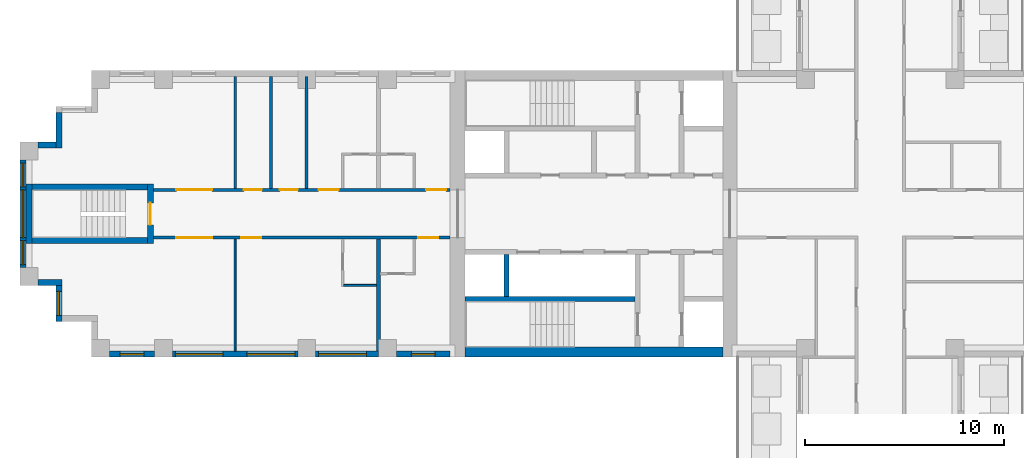
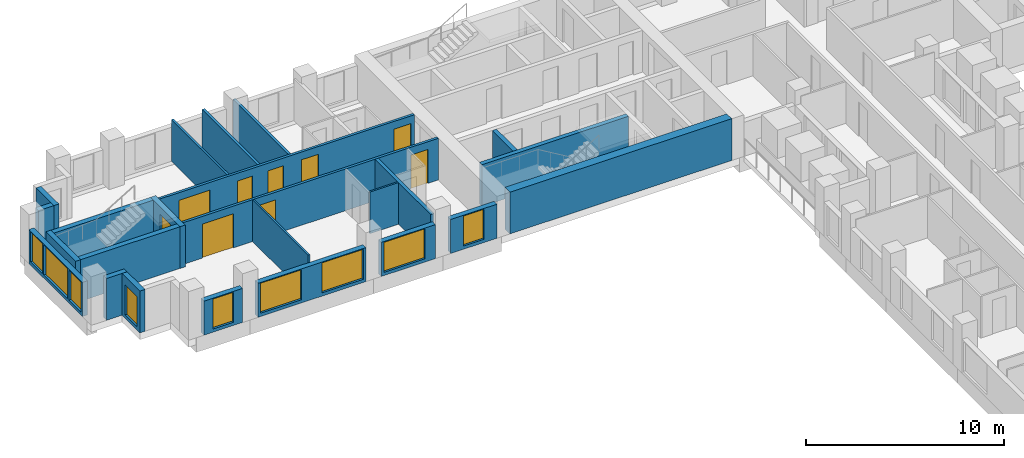
# One storey, part 5 of 15: 24 walls, 9 doors, 9 windows, 18 openings.
"""IFC4 building model written with IfcOpenShell, lengths in metres."""

from ifc_helpers import new_model, si_unit, direction, frame, frame_2d, origin, place, context, subcontext, project, spatial, rectangle, extrude, material, layer, layer_set, type_object, element, fill, save


model = new_model("IFC4")

# Units and contexts
model_context = context("Model", 3, precision=1e-05, world=origin(), true_north=direction((0.0, 1.0)))
body_context = subcontext(model_context, "Body", "Model", "MODEL_VIEW")
ifc_project = project(units=[si_unit("LENGTHUNIT", "METRE"), si_unit("AREAUNIT", "SQUARE_METRE"), si_unit("VOLUMEUNIT", "CUBIC_METRE"), si_unit("PLANEANGLEUNIT", "RADIAN"), si_unit("MASSUNIT", "GRAM", prefix="KILO")], contexts=[model_context])

# Site, building, storey
site_placement = place(None, origin())
site = spatial("IfcSite", under=ifc_project, at=site_placement, CompositionType="ELEMENT")
building_placement = place(site_placement, origin())
building = spatial("IfcBuilding", under=site, at=building_placement, Name="Fustian Cross Tower", CompositionType="ELEMENT")
storey_placement = place(building_placement, frame((0.0, 0.0, 50.699951171875)))
storey = spatial("IfcBuildingStorey", under=building, at=storey_placement, Name="L15", CompositionType="ELEMENT", Elevation=50.699951171875)

# Wall, openings, doors
ifc_material_1 = material(Name="Plasterboard on steel stud", Category="steel")
ifc_layer_1 = layer(ifc_material_1, 0.14990234375)
ifc_layer_set_1 = layer_set([ifc_layer_1], Name="Plasterboard on steel stud")
wall_type_1 = type_object("IfcWallType", Name="COMPARTMENT WALL 150 EI 60", PredefinedType="PARTITIONING", material=ifc_layer_set_1)
wall_1_placement = place(storey_placement, frame((-36.5, -1.199951171875, 0.0), z_axis=(0.0, 0.0, 1.0), x_axis=(1.0, 0.0, 0.0)))
wall_1 = element("IfcWall", 1, at=wall_1_placement, inside=storey, type_object=wall_type_1, Name="Partition 1", PredefinedType="PARTITIONING", context=body_context, shape_type="SweptSolid", body=[
    extrude(rectangle(XDim=14.89990234375, YDim=0.14990234375, at=frame_2d((7.449951171875, 0.0))), origin(), (0.0, 0.0, 1.0), 2.574951171875),
])
opening_1_placement = place(wall_1_placement, frame((13.300048828125, 0.0, 0.0)))
opening_1 = element("IfcOpeningElement", 2, at=opening_1_placement, cuts=wall_1, Name="Opening D08037", PredefinedType="OPENING", context=body_context, shape_type="SweptSolid", body=[
    extrude(rectangle(XDim=1.0, YDim=2.10009765625, at=frame_2d((0.5, 1.050048828125))), frame((0.0, 0.0849609375, 0.0), z_axis=(0.0, -1.0, 0.0), x_axis=(1.0, 0.0, 0.0)), (0.0, 0.0, 1.0), 0.169921875),
])
opening_2_placement = place(wall_1_placement, frame((4.409912109375, 0.0, 0.0)))
opening_2 = element("IfcOpeningElement", 3, at=opening_2_placement, cuts=wall_1, Name="Opening D08039", PredefinedType="OPENING", context=body_context, shape_type="SweptSolid", body=[
    extrude(rectangle(XDim=1.0, YDim=2.10009765625, at=frame_2d((0.5, 1.050048828125))), frame((0.0, 0.0849609375, 0.0), z_axis=(0.0, -1.0, 0.0), x_axis=(1.0, 0.0, 0.0)), (0.0, 0.0, 1.0), 0.169921875),
])
opening_3_placement = place(wall_1_placement, frame((1.14990234375, 0.0, 0.0)))
opening_3 = element("IfcOpeningElement", 4, at=opening_3_placement, cuts=wall_1, Name="Opening D08040", PredefinedType="OPENING", context=body_context, shape_type="SweptSolid", body=[
    extrude(rectangle(XDim=1.800048828125, YDim=2.10009765625, at=frame_2d((0.89990234375, 1.050048828125))), frame((0.0, 0.0849609375, 0.0), z_axis=(0.0, -1.0, 0.0), x_axis=(1.0, 0.0, 0.0)), (0.0, 0.0, 1.0), 0.169921875),
])
ifc_material_2 = material(Name="Timber fire door set", Category="wood")
door_type_1 = type_object("IfcDoorType", Name="FIRE DOUBLE DOOR 1800 FD30S", OperationType="DOUBLE_DOOR_DOUBLE_SWING", PredefinedType="DOOR", material=ifc_material_2)
door_1_placement = place(opening_3_placement, origin())
door_1 = element("IfcDoor", 5, at=door_1_placement, inside=storey, type_object=door_type_1, Name="Door D08040", OperationType="DOUBLE_DOOR_DOUBLE_SWING", OverallHeight=2.10009765625, OverallWidth=1.800048828125, PredefinedType="DOOR", context=body_context, shape_type="SweptSolid", body=[
    extrude(rectangle(XDim=1.800048828125, YDim=2.10009765625, at=frame_2d((0.89990234375, 1.050048828125))), frame((0.0, 0.02490234375, 0.0), z_axis=(0.0, -1.0, 0.0), x_axis=(1.0, 0.0, 0.0)), (0.0, 0.0, 1.0), 0.050048828125),
])
fill(opening_3, door_1)
ifc_material_3 = material(Name="Timber fire door set", Category="wood")
door_type_2 = type_object("IfcDoorType", Name="FIRE SWING DOOR 1000 FD30S", OperationType="SINGLE_SWING_LEFT", PredefinedType="DOOR", material=ifc_material_3)
door_2_placement = place(opening_1_placement, frame((1.0, 0.0, 0.0), z_axis=(0.0, 0.0, 1.0), x_axis=(-1.0, 0.0, 0.0)))
door_2 = element("IfcDoor", 6, at=door_2_placement, inside=storey, type_object=door_type_2, Name="Door D08037", OperationType="SINGLE_SWING_RIGHT", OverallHeight=2.10009765625, OverallWidth=1.0, PredefinedType="DOOR", context=body_context, shape_type="SweptSolid", body=[
    extrude(rectangle(XDim=1.0, YDim=2.10009765625, at=frame_2d((0.5, 1.050048828125))), frame((0.0, 0.02490234375, 0.0), z_axis=(0.0, -1.0, 0.0), x_axis=(1.0, 0.0, 0.0)), (0.0, 0.0, 1.0), 0.050048828125),
])
fill(opening_1, door_2)
door_3_placement = place(opening_2_placement, frame((1.0, 0.0, 0.0), z_axis=(0.0, 0.0, 1.0), x_axis=(-1.0, 0.0, 0.0)))
door_3 = element("IfcDoor", 7, at=door_3_placement, inside=storey, type_object=door_type_2, Name="Door D08039", OperationType="SINGLE_SWING_RIGHT", OverallHeight=2.10009765625, OverallWidth=1.0, PredefinedType="DOOR", context=body_context, shape_type="SweptSolid", body=[
    extrude(rectangle(XDim=1.0, YDim=2.10009765625, at=frame_2d((0.5, 1.050048828125))), frame((0.0, 0.02490234375, 0.0), z_axis=(0.0, -1.0, 0.0), x_axis=(1.0, 0.0, 0.0)), (0.0, 0.0, 1.0), 0.050048828125),
])
fill(opening_2, door_3)

wall_2_placement = place(storey_placement, frame((-36.5, 1.199951171875, 0.0), z_axis=(0.0, 0.0, 1.0), x_axis=(1.0, 0.0, 0.0)))
wall_2 = element("IfcWall", 8, at=wall_2_placement, inside=storey, type_object=wall_type_1, Name="Partition 2", PredefinedType="PARTITIONING", context=body_context, shape_type="SweptSolid", body=[
    extrude(rectangle(XDim=14.89990234375, YDim=0.14990234375, at=frame_2d((7.449951171875, 0.0))), origin(), (0.0, 0.0, 1.0), 2.574951171875),
])
opening_4_placement = place(wall_2_placement, frame((13.699951171875, 0.0, 0.0)))
opening_4 = element("IfcOpeningElement", 9, at=opening_4_placement, cuts=wall_2, Name="Opening D08042", PredefinedType="OPENING", context=body_context, shape_type="SweptSolid", body=[
    extrude(rectangle(XDim=1.0, YDim=2.10009765625, at=frame_2d((0.5, 1.050048828125))), frame((0.0, 0.0849609375, 0.0), z_axis=(0.0, -1.0, 0.0), x_axis=(1.0, 0.0, 0.0)), (0.0, 0.0, 1.0), 0.169921875),
])
opening_5_placement = place(wall_2_placement, frame((8.300048828125, 0.0, 0.0)))
opening_5 = element("IfcOpeningElement", 10, at=opening_5_placement, cuts=wall_2, Name="Opening D08044", PredefinedType="OPENING", context=body_context, shape_type="SweptSolid", body=[
    extrude(rectangle(XDim=1.0, YDim=2.10009765625, at=frame_2d((0.5, 1.050048828125))), frame((0.0, 0.0849609375, 0.0), z_axis=(0.0, -1.0, 0.0), x_axis=(1.0, 0.0, 0.0)), (0.0, 0.0, 1.0), 0.169921875),
])
opening_6_placement = place(wall_2_placement, frame((6.35009765625, 0.0, 0.0)))
opening_6 = element("IfcOpeningElement", 11, at=opening_6_placement, cuts=wall_2, Name="Opening D08045", PredefinedType="OPENING", context=body_context, shape_type="SweptSolid", body=[
    extrude(rectangle(XDim=0.89990234375, YDim=2.10009765625, at=frame_2d((0.449951171875, 1.050048828125))), frame((0.0, 0.0849609375, 0.0), z_axis=(0.0, -1.0, 0.0), x_axis=(1.0, 0.0, 0.0)), (0.0, 0.0, 1.0), 0.169921875),
])
opening_7_placement = place(wall_2_placement, frame((4.550048828125, 0.0, 0.0)))
opening_7 = element("IfcOpeningElement", 12, at=opening_7_placement, cuts=wall_2, Name="Opening D08046", PredefinedType="OPENING", context=body_context, shape_type="SweptSolid", body=[
    extrude(rectangle(XDim=0.89990234375, YDim=2.10009765625, at=frame_2d((0.449951171875, 1.050048828125))), frame((0.0, 0.0849609375, 0.0), z_axis=(0.0, -1.0, 0.0), x_axis=(1.0, 0.0, 0.0)), (0.0, 0.0, 1.0), 0.169921875),
])
opening_8_placement = place(wall_2_placement, frame((1.14990234375, 0.0, 0.0)))
opening_8 = element("IfcOpeningElement", 13, at=opening_8_placement, cuts=wall_2, Name="Opening D08047", PredefinedType="OPENING", context=body_context, shape_type="SweptSolid", body=[
    extrude(rectangle(XDim=1.800048828125, YDim=2.10009765625, at=frame_2d((0.89990234375, 1.050048828125))), frame((0.0, 0.0849609375, 0.0), z_axis=(0.0, -1.0, 0.0), x_axis=(1.0, 0.0, 0.0)), (0.0, 0.0, 1.0), 0.169921875),
])
door_4_placement = place(opening_8_placement, frame((1.800048828125, 0.0, 0.0), z_axis=(0.0, 0.0, 1.0), x_axis=(-1.0, 0.0, 0.0)))
door_4 = element("IfcDoor", 14, at=door_4_placement, inside=storey, type_object=door_type_1, Name="Door D08047", OperationType="DOUBLE_DOOR_DOUBLE_SWING", OverallHeight=2.10009765625, OverallWidth=1.800048828125, PredefinedType="DOOR", context=body_context, shape_type="SweptSolid", body=[
    extrude(rectangle(XDim=1.800048828125, YDim=2.10009765625, at=frame_2d((0.89990234375, 1.050048828125))), frame((0.0, 0.02490234375, 0.0), z_axis=(0.0, -1.0, 0.0), x_axis=(1.0, 0.0, 0.0)), (0.0, 0.0, 1.0), 0.050048828125),
])
fill(opening_8, door_4)
door_5_placement = place(opening_4_placement, origin())
door_5 = element("IfcDoor", 15, at=door_5_placement, inside=storey, type_object=door_type_2, Name="Door D08042", OperationType="SINGLE_SWING_RIGHT", OverallHeight=2.10009765625, OverallWidth=1.0, PredefinedType="DOOR", context=body_context, shape_type="SweptSolid", body=[
    extrude(rectangle(XDim=1.0, YDim=2.10009765625, at=frame_2d((0.5, 1.050048828125))), frame((0.0, 0.02490234375, 0.0), z_axis=(0.0, -1.0, 0.0), x_axis=(1.0, 0.0, 0.0)), (0.0, 0.0, 1.0), 0.050048828125),
])
fill(opening_4, door_5)
door_6_placement = place(opening_5_placement, origin())
door_6 = element("IfcDoor", 16, at=door_6_placement, inside=storey, type_object=door_type_2, Name="Door D08044", OperationType="SINGLE_SWING_RIGHT", OverallHeight=2.10009765625, OverallWidth=1.0, PredefinedType="DOOR", context=body_context, shape_type="SweptSolid", body=[
    extrude(rectangle(XDim=1.0, YDim=2.10009765625, at=frame_2d((0.5, 1.050048828125))), frame((0.0, 0.02490234375, 0.0), z_axis=(0.0, -1.0, 0.0), x_axis=(1.0, 0.0, 0.0)), (0.0, 0.0, 1.0), 0.050048828125),
])
fill(opening_5, door_6)
ifc_material_4 = material(Name="Timber fire door set", Category="wood")
door_type_3 = type_object("IfcDoorType", Name="FIRE SWING DOOR 900 FD30S", OperationType="SINGLE_SWING_LEFT", PredefinedType="DOOR", material=ifc_material_4)
door_7_placement = place(opening_6_placement, origin())
door_7 = element("IfcDoor", 17, at=door_7_placement, inside=storey, type_object=door_type_3, Name="Door D08045", OperationType="SINGLE_SWING_RIGHT", OverallHeight=2.10009765625, OverallWidth=0.89990234375, PredefinedType="DOOR", context=body_context, shape_type="SweptSolid", body=[
    extrude(rectangle(XDim=0.89990234375, YDim=2.10009765625, at=frame_2d((0.449951171875, 1.050048828125))), frame((0.0, 0.02490234375, 0.0), z_axis=(0.0, -1.0, 0.0), x_axis=(1.0, 0.0, 0.0)), (0.0, 0.0, 1.0), 0.050048828125),
])
fill(opening_6, door_7)
door_8_placement = place(opening_7_placement, origin())
door_8 = element("IfcDoor", 18, at=door_8_placement, inside=storey, type_object=door_type_3, Name="Door D08046", OperationType="SINGLE_SWING_RIGHT", OverallHeight=2.10009765625, OverallWidth=0.89990234375, PredefinedType="DOOR", context=body_context, shape_type="SweptSolid", body=[
    extrude(rectangle(XDim=0.89990234375, YDim=2.10009765625, at=frame_2d((0.449951171875, 1.050048828125))), frame((0.0, 0.02490234375, 0.0), z_axis=(0.0, -1.0, 0.0), x_axis=(1.0, 0.0, 0.0)), (0.0, 0.0, 1.0), 0.050048828125),
])
fill(opening_7, door_8)

# Walls
for number, where, z_axis, x_axis, name in (
    (19, (-30.60009765625, 1.27490234375, 0.0), (0.0, 0.0, 1.0), (0.0, 1.0, 0.0), "Partition 5"),
    (20, (-28.800048828125, 1.27490234375, 0.0), (0.0, 0.0, 1.0), (0.0, 1.0, 0.0), "Partition 6"),
):
    element("IfcWall", number, at=place(storey_placement, frame(where, z_axis=z_axis, x_axis=x_axis)), inside=storey, type_object=wall_type_1, Name=name, PredefinedType="PARTITIONING", context=body_context, shape_type="SweptSolid", body=[
        extrude(rectangle(XDim=5.625, YDim=0.14990234375, at=frame_2d((2.8125, 0.0))), origin(), (0.0, 0.0, 1.0), 2.574951171875),
    ])
ifc_material_5 = material(Name="Concrete C80/95", Category="concrete")
ifc_layer_2 = layer(ifc_material_5, 0.5)
ifc_layer_set_2 = layer_set([ifc_layer_2], Name="Concrete C80/95")
wall_type_2 = type_object("IfcWallType", Name="CORE FACADE WALL 500 C80/95", PredefinedType="SHEAR", material=ifc_layer_set_2)
wall_3_placement = place(storey_placement, frame((-7.89990234375, -6.949951171875, 0.0), z_axis=(0.0, 0.0, 1.0), x_axis=(-1.0, 0.0, 0.0)))
element("IfcWall", 21, at=wall_3_placement, inside=storey, type_object=wall_type_2, Name="Core facade wall", PredefinedType="SHEAR", context=body_context, shape_type="SweptSolid", body=[
    extrude(rectangle(XDim=12.9501953125, YDim=0.5, at=frame_2d((6.47509765625, 0.0))), origin(), (0.0, 0.0, 1.0), 2.574951171875),
])
ifc_material_6 = material(Name="Concrete C50/60", Category="concrete")
ifc_layer_3 = layer(ifc_material_6, 0.25)
ifc_layer_set_3 = layer_set([ifc_layer_3], Name="Concrete C50/60")
wall_type_3 = type_object("IfcWallType", Name="CORE SHAFT WALL 250 C50/60", PredefinedType="SHEAR", material=ifc_layer_set_3)
wall_4_placement = place(storey_placement, frame((-12.300048828125, -4.27490234375, 0.0), z_axis=(0.0, 0.0, 1.0), x_axis=(-1.0, 0.0, 0.0)))
element("IfcWall", 22, at=wall_4_placement, inside=storey, type_object=wall_type_3, Name="Core shaft wall", PredefinedType="SHEAR", context=body_context, shape_type="SweptSolid", body=[
    extrude(rectangle(XDim=8.550048828125, YDim=0.25, at=frame_2d((4.27490234375, 0.0))), origin(), (0.0, 0.0, 1.0), 2.574951171875),
])
ifc_material_7 = material(Name="Plasterboard on steel stud", Category="steel")
ifc_layer_4 = layer(ifc_material_7, 0.10009765625)
ifc_layer_set_4 = layer_set([ifc_layer_4], Name="Plasterboard on steel stud")
wall_type_4 = type_object("IfcWallType", Name="PARTITION 100 STUD", PredefinedType="PARTITIONING", material=ifc_layer_set_4)
wall_5_placement = place(storey_placement, frame((-32.39990234375, -6.89990234375, 0.0), z_axis=(0.0, 0.0, 1.0), x_axis=(0.0, 1.0, 0.0)))
element("IfcWall", 23, at=wall_5_placement, inside=storey, type_object=wall_type_4, Name="Partition 3", PredefinedType="PARTITIONING", context=body_context, shape_type="SweptSolid", body=[
    extrude(rectangle(XDim=5.625, YDim=0.10009765625, at=frame_2d((2.8125, 0.0))), origin(), (0.0, 0.0, 1.0), 2.574951171875),
])
wall_6_placement = place(storey_placement, frame((-26.949951171875, -3.60009765625, 0.0), z_axis=(0.0, 0.0, 1.0), x_axis=(1.0, 0.0, 0.0)))
element("IfcWall", 24, at=wall_6_placement, inside=storey, type_object=wall_type_4, Name="Partition 8", PredefinedType="PARTITIONING", context=body_context, shape_type="SweptSolid", body=[
    extrude(rectangle(XDim=1.64990234375, YDim=0.10009765625, at=frame_2d((0.824951171875, 0.0))), origin(), (0.0, 0.0, 1.0), 2.574951171875),
])
ifc_material_8 = material(Name="Plasterboard on steel stud", Category="steel")
ifc_layer_5 = layer(ifc_material_8, 0.199951171875)
ifc_layer_set_5 = layer_set([ifc_layer_5], Name="Plasterboard on steel stud")
wall_type_5 = type_object("IfcWallType", Name="PARTY WALL 200 EI 60", PredefinedType="PARTITIONING", material=ifc_layer_set_5)
wall_7_placement = place(storey_placement, frame((-25.199951171875, -6.89990234375, 0.0), z_axis=(0.0, 0.0, 1.0), x_axis=(0.0, 1.0, 0.0)))
element("IfcWall", 25, at=wall_7_placement, inside=storey, type_object=wall_type_5, Name="Partition 11", PredefinedType="PARTITIONING", context=body_context, shape_type="SweptSolid", body=[
    extrude(rectangle(XDim=5.625, YDim=0.199951171875, at=frame_2d((2.8125, 0.0))), origin(), (0.0, 0.0, 1.0), 2.574951171875),
])
ifc_material_9 = material(Name="Concrete C40/50", Category="concrete")
ifc_layer_6 = layer(ifc_material_9, 0.25)
ifc_layer_set_6 = layer_set([ifc_layer_6], Name="Concrete C40/50")
wall_type_6 = type_object("IfcWallType", Name="SHAFT PARTITION WALL 250 C40/50", PredefinedType="PARTITIONING", material=ifc_layer_set_6)
wall_8_placement = place(storey_placement, frame((-18.77490234375, -2.050048828125, 0.0), z_axis=(0.0, 0.0, 1.0), x_axis=(0.0, -1.0, 0.0)))
element("IfcWall", 26, at=wall_8_placement, inside=storey, type_object=wall_type_6, Name="Core shaft wall", PredefinedType="PARTITIONING", context=body_context, shape_type="SweptSolid", body=[
    extrude(rectangle(XDim=2.099853515625, YDim=0.25, at=frame_2d((1.0498046875, 0.0))), origin(), (0.0, 0.0, 1.0), 2.574951171875),
])

# Wall, opening, door
ifc_material_10 = material(Name="Concrete C50/60", Category="concrete")
ifc_layer_7 = layer(ifc_material_10, 0.300048828125)
ifc_layer_set_7 = layer_set([ifc_layer_7], Name="Concrete C50/60")
wall_type_7 = type_object("IfcWallType", Name="STAIR ENCLOSURE WALL 300 C50/60", PredefinedType="SHEAR", material=ifc_layer_set_7)
wall_9_placement = place(storey_placement, frame((-36.64990234375, -1.5, 0.0), z_axis=(0.0, 0.0, 1.0), x_axis=(0.0, 1.0, 0.0)))
wall_9 = element("IfcWall", 27, at=wall_9_placement, inside=storey, type_object=wall_type_7, Name="Stair enclosure wall", PredefinedType="SHEAR", context=body_context, shape_type="SweptSolid", body=[
    extrude(rectangle(XDim=3.0, YDim=0.300048828125, at=frame_2d((1.5, 0.0))), origin(), (0.0, 0.0, 1.0), 2.574951171875),
])
opening_9_placement = place(wall_9_placement, frame((0.949951171875, 0.0, 0.0)))
opening_9 = element("IfcOpeningElement", 28, at=opening_9_placement, cuts=wall_9, Name="Opening CD-05-34", PredefinedType="OPENING", context=body_context, shape_type="SweptSolid", body=[
    extrude(rectangle(XDim=1.10009765625, YDim=2.10009765625, at=frame_2d((0.550048828125, 1.050048828125))), frame((0.0, 0.159912109375, 0.0), z_axis=(0.0, -1.0, 0.0), x_axis=(1.0, 0.0, 0.0)), (0.0, 0.0, 1.0), 0.320068359375),
])
ifc_material_11 = material(Name="Steel", Category="steel")
door_type_4 = type_object("IfcDoorType", Name="FIRE DOOR FD60S 1100X2100", OperationType="SINGLE_SWING_LEFT", PredefinedType="DOOR", material=ifc_material_11)
door_9_placement = place(opening_9_placement, origin())
door_9 = element("IfcDoor", 29, at=door_9_placement, inside=storey, type_object=door_type_4, Name="Core door CD-05-34", OperationType="SINGLE_SWING_LEFT", OverallHeight=2.10009765625, OverallWidth=1.10009765625, PredefinedType="DOOR", context=body_context, shape_type="SweptSolid", body=[
    extrude(rectangle(XDim=1.10009765625, YDim=2.10009765625, at=frame_2d((0.550048828125, 1.050048828125))), frame((0.0, 0.02490234375, 0.0), z_axis=(0.0, -1.0, 0.0), x_axis=(1.0, 0.0, 0.0)), (0.0, 0.0, 1.0), 0.050048828125),
])
fill(opening_9, door_9)

# Walls
wall_10_placement = place(storey_placement, frame((-42.75, -1.5, 0.0), z_axis=(0.0, 0.0, 1.0), x_axis=(0.0, 1.0, 0.0)))
element("IfcWall", 30, at=wall_10_placement, inside=storey, type_object=wall_type_7, Name="Stair enclosure wall", PredefinedType="SHEAR", context=body_context, shape_type="SweptSolid", body=[
    extrude(rectangle(XDim=3.0, YDim=0.300048828125, at=frame_2d((1.5, 0.0))), origin(), (0.0, 0.0, 1.0), 2.574951171875),
])
for number, where, z_axis, x_axis, name in (
    (31, (-36.800048828125, -1.35009765625, 0.0), (0.0, 0.0, 1.0), (-1.0, 0.0, 0.0), "Stair enclosure wall"),
    (32, (-36.800048828125, 1.35009765625, 0.0), (0.0, 0.0, 1.0), (-1.0, 0.0, 0.0), "Stair enclosure wall"),
):
    element("IfcWall", number, at=place(storey_placement, frame(where, z_axis=z_axis, x_axis=x_axis)), inside=storey, type_object=wall_type_7, Name=name, PredefinedType="SHEAR", context=body_context, shape_type="SweptSolid", body=[
        extrude(rectangle(XDim=5.800048828125, YDim=0.300048828125, at=frame_2d((2.89990234375, 0.0))), origin(), (0.0, 0.0, 1.0), 2.574951171875),
    ])
ifc_material_12 = material(Name="Plasterboard on steel stud", Category="steel")
ifc_layer_8 = layer(ifc_material_12, 0.125)
ifc_layer_set_8 = layer_set([ifc_layer_8], Name="Plasterboard on steel stud")
wall_type_8 = type_object("IfcWallType", Name="WET WALL 125 STUD", PredefinedType="PARTITIONING", material=ifc_layer_set_8)
wall_11_placement = place(storey_placement, frame((-32.39990234375, 1.27490234375, 0.0), z_axis=(0.0, 0.0, 1.0), x_axis=(0.0, 1.0, 0.0)))
element("IfcWall", 33, at=wall_11_placement, inside=storey, type_object=wall_type_8, Name="Partition 4", PredefinedType="PARTITIONING", context=body_context, shape_type="SweptSolid", body=[
    extrude(rectangle(XDim=5.625, YDim=0.125, at=frame_2d((2.8125, 0.0))), origin(), (0.0, 0.0, 1.0), 2.574951171875),
])
ifc_material_13 = material(Name="Dark aluminium cladding on insulated backing wall", Category="aluminium")
ifc_layer_9 = layer(ifc_material_13, 0.300048828125)
ifc_layer_set_9 = layer_set([ifc_layer_9], Name="Dark aluminium cladding on insulated backing wall")
wall_type_9 = type_object("IfcWallType", Name="XW1 EXTERNAL WALL 300", PredefinedType="SOLIDWALL", material=ifc_layer_set_9)
wall_12_placement = place(storey_placement, frame((-41.25, 5.10009765625, 0.0), z_axis=(0.0, 0.0, 1.0), x_axis=(0.0, -1.0, 0.0)))
element("IfcWall", 34, at=wall_12_placement, inside=storey, type_object=wall_type_9, Name="External wall", PredefinedType="SOLIDWALL", context=body_context, shape_type="SweptSolid", body=[
    extrude(rectangle(XDim=1.800048828125, YDim=0.300048828125, at=frame_2d((0.89990234375, 0.0))), origin(), (0.0, 0.0, 1.0), 2.574951171875),
])
wall_13_placement = place(storey_placement, frame((-41.39990234375, 3.449951171875, 0.0), z_axis=(0.0, 0.0, 1.0), x_axis=(-1.0, 0.0, 0.0)))
element("IfcWall", 35, at=wall_13_placement, inside=storey, type_object=wall_type_9, Name="External wall", PredefinedType="SOLIDWALL", context=body_context, shape_type="SweptSolid", body=[
    extrude(rectangle(XDim=0.900146484375, YDim=0.300048828125, at=frame_2d((0.4501953125, 0.0))), origin(), (0.0, 0.0, 1.0), 2.574951171875),
])

# Wall, openings, windows
wall_14_placement = place(storey_placement, frame((-43.050048828125, 2.699951171875, 0.0), z_axis=(0.0, 0.0, 1.0), x_axis=(0.0, -1.0, 0.0)))
wall_14 = element("IfcWall", 36, at=wall_14_placement, inside=storey, type_object=wall_type_9, Name="External wall", PredefinedType="SOLIDWALL", context=body_context, shape_type="SweptSolid", body=[
    extrude(rectangle(XDim=5.39990234375, YDim=0.300048828125, at=frame_2d((2.699951171875, 0.0))), origin(), (0.0, 0.0, 1.0), 2.10009765625),
])
opening_10_placement = place(wall_14_placement, frame((1.5, 0.0, 0.199951171875)))
opening_10 = element("IfcOpeningElement", 37, at=opening_10_placement, cuts=wall_14, Name="Opening WN1", PredefinedType="OPENING", context=body_context, shape_type="SweptSolid", body=[
    extrude(rectangle(XDim=2.39990234375, YDim=1.85009765625, at=frame_2d((1.199951171875, 0.925048828125))), frame((0.0, 0.159912109375, 0.0), z_axis=(0.0, -1.0, 0.0), x_axis=(1.0, 0.0, 0.0)), (0.0, 0.0, 1.0), 0.320068359375),
])
opening_11_placement = place(wall_14_placement, frame((0.14990234375, 0.0, 0.199951171875)))
opening_11 = element("IfcOpeningElement", 38, at=opening_11_placement, cuts=wall_14, Name="Opening WN3", PredefinedType="OPENING", context=body_context, shape_type="SweptSolid", body=[
    extrude(rectangle(XDim=1.199951171875, YDim=1.85009765625, at=frame_2d((0.60009765625, 0.925048828125))), frame((0.0, 0.159912109375, 0.0), z_axis=(0.0, -1.0, 0.0), x_axis=(1.0, 0.0, 0.0)), (0.0, 0.0, 1.0), 0.320068359375),
])
opening_12_placement = place(wall_14_placement, frame((4.050048828125, 0.0, 0.199951171875)))
opening_12 = element("IfcOpeningElement", 39, at=opening_12_placement, cuts=wall_14, Name="Opening WN3", PredefinedType="OPENING", context=body_context, shape_type="SweptSolid", body=[
    extrude(rectangle(XDim=1.199951171875, YDim=1.85009765625, at=frame_2d((0.60009765625, 0.925048828125))), frame((0.0, 0.159912109375, 0.0), z_axis=(0.0, -1.0, 0.0), x_axis=(1.0, 0.0, 0.0)), (0.0, 0.0, 1.0), 0.320068359375),
])
ifc_material_14 = material(Name="Dark anodised aluminium and double glazing", Category="aluminium")
window_type_1 = type_object("IfcWindowType", Name="WN1 WINDOW 2400X1850", PartitioningType="SINGLE_PANEL", PredefinedType="WINDOW", material=ifc_material_14)
window_1_placement = place(opening_10_placement, origin())
window_1 = element("IfcWindow", 40, at=window_1_placement, inside=storey, type_object=window_type_1, Name="Window", OverallHeight=1.85009765625, OverallWidth=2.39990234375, PartitioningType="SINGLE_PANEL", PredefinedType="WINDOW", context=body_context, shape_type="SweptSolid", body=[
    extrude(rectangle(XDim=2.39990234375, YDim=1.85009765625, at=frame_2d((1.199951171875, 0.925048828125))), frame((0.0, 0.030029296875, 0.0), z_axis=(0.0, -1.0, 0.0), x_axis=(1.0, 0.0, 0.0)), (0.0, 0.0, 1.0), 0.06005859375),
])
fill(opening_10, window_1)
ifc_material_15 = material(Name="Dark anodised aluminium and double glazing", Category="aluminium")
window_type_2 = type_object("IfcWindowType", Name="WN3 WINDOW 1200X1850", PartitioningType="SINGLE_PANEL", PredefinedType="WINDOW", material=ifc_material_15)
window_2_placement = place(opening_11_placement, origin())
window_2 = element("IfcWindow", 41, at=window_2_placement, inside=storey, type_object=window_type_2, Name="Window", OverallHeight=1.85009765625, OverallWidth=1.199951171875, PartitioningType="SINGLE_PANEL", PredefinedType="WINDOW", context=body_context, shape_type="SweptSolid", body=[
    extrude(rectangle(XDim=1.199951171875, YDim=1.85009765625, at=frame_2d((0.60009765625, 0.925048828125))), frame((0.0, 0.030029296875, 0.0), z_axis=(0.0, -1.0, 0.0), x_axis=(1.0, 0.0, 0.0)), (0.0, 0.0, 1.0), 0.06005859375),
])
fill(opening_11, window_2)
window_3_placement = place(opening_12_placement, origin())
window_3 = element("IfcWindow", 42, at=window_3_placement, inside=storey, type_object=window_type_2, Name="Window", OverallHeight=1.85009765625, OverallWidth=1.199951171875, PartitioningType="SINGLE_PANEL", PredefinedType="WINDOW", context=body_context, shape_type="SweptSolid", body=[
    extrude(rectangle(XDim=1.199951171875, YDim=1.85009765625, at=frame_2d((0.60009765625, 0.925048828125))), frame((0.0, 0.030029296875, 0.0), z_axis=(0.0, -1.0, 0.0), x_axis=(1.0, 0.0, 0.0)), (0.0, 0.0, 1.0), 0.06005859375),
])
fill(opening_12, window_3)

# Wall
wall_15_placement = place(storey_placement, frame((-42.300048828125, -3.449951171875, 0.0), z_axis=(0.0, 0.0, 1.0), x_axis=(1.0, 0.0, 0.0)))
element("IfcWall", 43, at=wall_15_placement, inside=storey, type_object=wall_type_9, Name="External wall", PredefinedType="SOLIDWALL", context=body_context, shape_type="SweptSolid", body=[
    extrude(rectangle(XDim=1.199951171875, YDim=0.300048828125, at=frame_2d((0.60009765625, 0.0))), origin(), (0.0, 0.0, 1.0), 2.574951171875),
])

# Wall, opening, window
wall_16_placement = place(storey_placement, frame((-41.25, -3.60009765625, 0.0), z_axis=(0.0, 0.0, 1.0), x_axis=(0.0, -1.0, 0.0)))
wall_16 = element("IfcWall", 44, at=wall_16_placement, inside=storey, type_object=wall_type_9, Name="External wall", PredefinedType="SOLIDWALL", context=body_context, shape_type="SweptSolid", body=[
    extrude(rectangle(XDim=1.7998046875, YDim=0.300048828125, at=frame_2d((0.89990234375, 0.0))), origin(), (0.0, 0.0, 1.0), 2.574951171875),
])
opening_13_placement = place(wall_16_placement, frame((0.300048828125, 0.0, 0.199951171875)))
opening_13 = element("IfcOpeningElement", 45, at=opening_13_placement, cuts=wall_16, Name="Opening WN3", PredefinedType="OPENING", context=body_context, shape_type="SweptSolid", body=[
    extrude(rectangle(XDim=1.199951171875, YDim=1.85009765625, at=frame_2d((0.60009765625, 0.925048828125))), frame((0.0, 0.159912109375, 0.0), z_axis=(0.0, -1.0, 0.0), x_axis=(1.0, 0.0, 0.0)), (0.0, 0.0, 1.0), 0.320068359375),
])
window_4_placement = place(opening_13_placement, origin())
window_4 = element("IfcWindow", 46, at=window_4_placement, inside=storey, type_object=window_type_2, Name="Window", OverallHeight=1.85009765625, OverallWidth=1.199951171875, PartitioningType="SINGLE_PANEL", PredefinedType="WINDOW", context=body_context, shape_type="SweptSolid", body=[
    extrude(rectangle(XDim=1.199951171875, YDim=1.85009765625, at=frame_2d((0.60009765625, 0.925048828125))), frame((0.0, 0.030029296875, 0.0), z_axis=(0.0, -1.0, 0.0), x_axis=(1.0, 0.0, 0.0)), (0.0, 0.0, 1.0), 0.06005859375),
])
fill(opening_13, window_4)

wall_17_placement = place(storey_placement, frame((-38.699951171875, -7.050048828125, 0.0), z_axis=(0.0, 0.0, 1.0), x_axis=(1.0, 0.0, 0.0)))
wall_17 = element("IfcWall", 47, at=wall_17_placement, inside=storey, type_object=wall_type_9, Name="External wall", PredefinedType="SOLIDWALL", context=body_context, shape_type="SweptSolid", body=[
    extrude(rectangle(XDim=2.25, YDim=0.300048828125, at=frame_2d((1.125, 0.0))), origin(), (0.0, 0.0, 1.0), 2.10009765625),
])
opening_14_placement = place(wall_17_placement, frame((0.52490234375, 0.0, 0.199951171875)))
opening_14 = element("IfcOpeningElement", 48, at=opening_14_placement, cuts=wall_17, Name="Opening WN3", PredefinedType="OPENING", context=body_context, shape_type="SweptSolid", body=[
    extrude(rectangle(XDim=1.199951171875, YDim=1.85009765625, at=frame_2d((0.60009765625, 0.925048828125))), frame((0.0, 0.159912109375, 0.0), z_axis=(0.0, -1.0, 0.0), x_axis=(1.0, 0.0, 0.0)), (0.0, 0.0, 1.0), 0.320068359375),
])
window_5_placement = place(opening_14_placement, origin())
window_5 = element("IfcWindow", 49, at=window_5_placement, inside=storey, type_object=window_type_2, Name="Window", OverallHeight=1.85009765625, OverallWidth=1.199951171875, PartitioningType="SINGLE_PANEL", PredefinedType="WINDOW", context=body_context, shape_type="SweptSolid", body=[
    extrude(rectangle(XDim=1.199951171875, YDim=1.85009765625, at=frame_2d((0.60009765625, 0.925048828125))), frame((0.0, 0.030029296875, 0.0), z_axis=(0.0, -1.0, 0.0), x_axis=(1.0, 0.0, 0.0)), (0.0, 0.0, 1.0), 0.06005859375),
])
fill(opening_14, window_5)

# Wall, openings, windows
wall_18_placement = place(storey_placement, frame((-35.550048828125, -7.050048828125, 0.0), z_axis=(0.0, 0.0, 1.0), x_axis=(1.0, 0.0, 0.0)))
wall_18 = element("IfcWall", 50, at=wall_18_placement, inside=storey, type_object=wall_type_9, Name="External wall", PredefinedType="SOLIDWALL", context=body_context, shape_type="SweptSolid", body=[
    extrude(rectangle(XDim=6.300048828125, YDim=0.300048828125, at=frame_2d((3.14990234375, 0.0))), origin(), (0.0, 0.0, 1.0), 2.10009765625),
])
opening_15_placement = place(wall_18_placement, frame((0.14990234375, 0.0, 0.199951171875)))
opening_15 = element("IfcOpeningElement", 51, at=opening_15_placement, cuts=wall_18, Name="Opening WN1", PredefinedType="OPENING", context=body_context, shape_type="SweptSolid", body=[
    extrude(rectangle(XDim=2.39990234375, YDim=1.85009765625, at=frame_2d((1.199951171875, 0.925048828125))), frame((0.0, 0.159912109375, 0.0), z_axis=(0.0, -1.0, 0.0), x_axis=(1.0, 0.0, 0.0)), (0.0, 0.0, 1.0), 0.320068359375),
])
opening_16_placement = place(wall_18_placement, frame((3.75, 0.0, 0.199951171875)))
opening_16 = element("IfcOpeningElement", 52, at=opening_16_placement, cuts=wall_18, Name="Opening WN1", PredefinedType="OPENING", context=body_context, shape_type="SweptSolid", body=[
    extrude(rectangle(XDim=2.39990234375, YDim=1.85009765625, at=frame_2d((1.199951171875, 0.925048828125))), frame((0.0, 0.159912109375, 0.0), z_axis=(0.0, -1.0, 0.0), x_axis=(1.0, 0.0, 0.0)), (0.0, 0.0, 1.0), 0.320068359375),
])
window_6_placement = place(opening_15_placement, origin())
window_6 = element("IfcWindow", 53, at=window_6_placement, inside=storey, type_object=window_type_1, Name="Window", OverallHeight=1.85009765625, OverallWidth=2.39990234375, PartitioningType="SINGLE_PANEL", PredefinedType="WINDOW", context=body_context, shape_type="SweptSolid", body=[
    extrude(rectangle(XDim=2.39990234375, YDim=1.85009765625, at=frame_2d((1.199951171875, 0.925048828125))), frame((0.0, 0.030029296875, 0.0), z_axis=(0.0, -1.0, 0.0), x_axis=(1.0, 0.0, 0.0)), (0.0, 0.0, 1.0), 0.06005859375),
])
fill(opening_15, window_6)
window_7_placement = place(opening_16_placement, origin())
window_7 = element("IfcWindow", 54, at=window_7_placement, inside=storey, type_object=window_type_1, Name="Window", OverallHeight=1.85009765625, OverallWidth=2.39990234375, PartitioningType="SINGLE_PANEL", PredefinedType="WINDOW", context=body_context, shape_type="SweptSolid", body=[
    extrude(rectangle(XDim=2.39990234375, YDim=1.85009765625, at=frame_2d((1.199951171875, 0.925048828125))), frame((0.0, 0.030029296875, 0.0), z_axis=(0.0, -1.0, 0.0), x_axis=(1.0, 0.0, 0.0)), (0.0, 0.0, 1.0), 0.06005859375),
])
fill(opening_16, window_7)

# Wall, opening, window
wall_19_placement = place(storey_placement, frame((-28.35009765625, -7.050048828125, 0.0), z_axis=(0.0, 0.0, 1.0), x_axis=(1.0, 0.0, 0.0)))
wall_19 = element("IfcWall", 55, at=wall_19_placement, inside=storey, type_object=wall_type_9, Name="External wall", PredefinedType="SOLIDWALL", context=body_context, shape_type="SweptSolid", body=[
    extrude(rectangle(XDim=3.150146484375, YDim=0.300048828125, at=frame_2d((1.5751953125, 0.0))), origin(), (0.0, 0.0, 1.0), 2.10009765625),
])
opening_17_placement = place(wall_19_placement, frame((0.14990234375, 0.0, 0.199951171875)))
opening_17 = element("IfcOpeningElement", 56, at=opening_17_placement, cuts=wall_19, Name="Opening WN1", PredefinedType="OPENING", context=body_context, shape_type="SweptSolid", body=[
    extrude(rectangle(XDim=2.39990234375, YDim=1.85009765625, at=frame_2d((1.199951171875, 0.925048828125))), frame((0.0, 0.159912109375, 0.0), z_axis=(0.0, -1.0, 0.0), x_axis=(1.0, 0.0, 0.0)), (0.0, 0.0, 1.0), 0.320068359375),
])
window_8_placement = place(opening_17_placement, origin())
window_8 = element("IfcWindow", 57, at=window_8_placement, inside=storey, type_object=window_type_1, Name="Window", OverallHeight=1.85009765625, OverallWidth=2.39990234375, PartitioningType="SINGLE_PANEL", PredefinedType="WINDOW", context=body_context, shape_type="SweptSolid", body=[
    extrude(rectangle(XDim=2.39990234375, YDim=1.85009765625, at=frame_2d((1.199951171875, 0.925048828125))), frame((0.0, 0.030029296875, 0.0), z_axis=(0.0, -1.0, 0.0), x_axis=(1.0, 0.0, 0.0)), (0.0, 0.0, 1.0), 0.06005859375),
])
fill(opening_17, window_8)

wall_20_placement = place(storey_placement, frame((-24.300048828125, -7.050048828125, 0.0), z_axis=(0.0, 0.0, 1.0), x_axis=(1.0, 0.0, 0.0)))
wall_20 = element("IfcWall", 58, at=wall_20_placement, inside=storey, type_object=wall_type_9, Name="External wall", PredefinedType="SOLIDWALL", context=body_context, shape_type="SweptSolid", body=[
    extrude(rectangle(XDim=2.699951171875, YDim=0.300048828125, at=frame_2d((1.35009765625, 0.0))), origin(), (0.0, 0.0, 1.0), 2.10009765625),
])
opening_18_placement = place(wall_20_placement, frame((0.75, 0.0, 0.199951171875)))
opening_18 = element("IfcOpeningElement", 59, at=opening_18_placement, cuts=wall_20, Name="Opening WN3", PredefinedType="OPENING", context=body_context, shape_type="SweptSolid", body=[
    extrude(rectangle(XDim=1.199951171875, YDim=1.85009765625, at=frame_2d((0.60009765625, 0.925048828125))), frame((0.0, 0.159912109375, 0.0), z_axis=(0.0, -1.0, 0.0), x_axis=(1.0, 0.0, 0.0)), (0.0, 0.0, 1.0), 0.320068359375),
])
window_9_placement = place(opening_18_placement, origin())
window_9 = element("IfcWindow", 60, at=window_9_placement, inside=storey, type_object=window_type_2, Name="Window", OverallHeight=1.85009765625, OverallWidth=1.199951171875, PartitioningType="SINGLE_PANEL", PredefinedType="WINDOW", context=body_context, shape_type="SweptSolid", body=[
    extrude(rectangle(XDim=1.199951171875, YDim=1.85009765625, at=frame_2d((0.60009765625, 0.925048828125))), frame((0.0, 0.030029296875, 0.0), z_axis=(0.0, -1.0, 0.0), x_axis=(1.0, 0.0, 0.0)), (0.0, 0.0, 1.0), 0.06005859375),
])
fill(opening_18, window_9)

save(model, "model.ifc")
